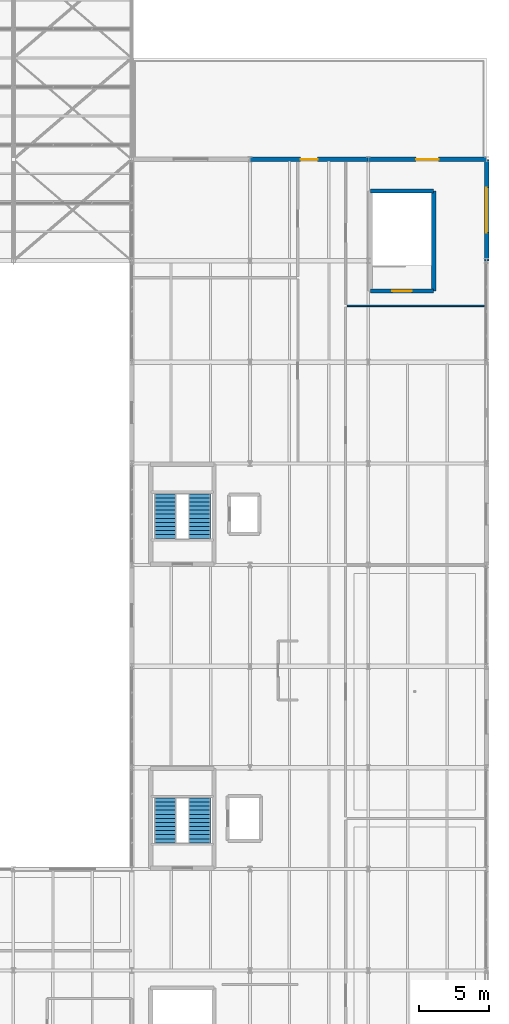
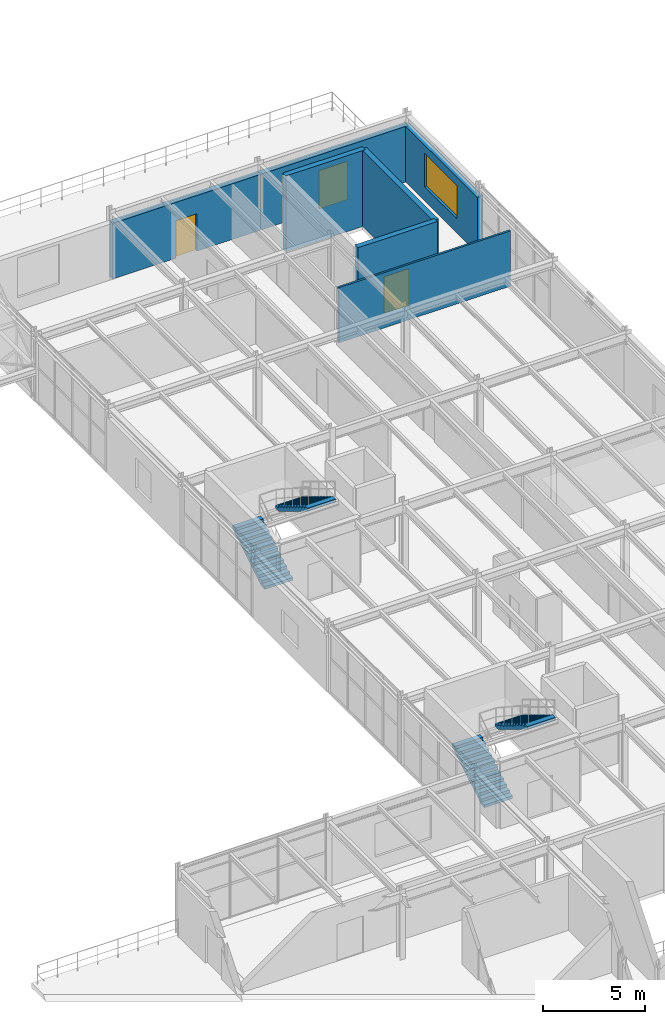
# One storey, part 131 of 134: 7 walls, 4 stair flights, 3 doors, 1 window, 4 openings, 2 elements without a shape of their own.
"""IFC4 building model written with IfcOpenShell, lengths in metres."""

from ifc_helpers import new_model, si_unit, derived_unit, direction, frame, frame_2d, origin, place, context, subcontext, project, spatial, polyline, rectangle, outline, extrude, material, layer, layer_set, type_object, element, fill, aggregate, save


model = new_model("IFC4")

# Units and contexts
model_context = context("Model", 3, precision=1e-05, world=origin(), true_north=direction((0.0, 1.0)))
body_context = subcontext(model_context, "Body", "Model", "MODEL_VIEW")
ifc_project = project(units=[si_unit("LENGTHUNIT", "METRE"), si_unit("AREAUNIT", "SQUARE_METRE"), si_unit("VOLUMEUNIT", "CUBIC_METRE"), si_unit("PLANEANGLEUNIT", "RADIAN"), si_unit("MASSUNIT", "GRAM", prefix="KILO"), derived_unit("THERMALTRANSMITTANCEUNIT", [(si_unit("MASSUNIT", "GRAM", prefix="KILO"), 1), (si_unit("TIMEUNIT", "SECOND"), -3), (si_unit("THERMODYNAMICTEMPERATUREUNIT", "KELVIN"), -1)])], contexts=[model_context])

# Site, building, storey
site_placement = place(None, origin())
site = spatial("IfcSite", under=ifc_project, at=site_placement, CompositionType="ELEMENT")
building_placement = place(site_placement, origin())
building = spatial("IfcBuilding", under=site, at=building_placement, Name="Kharveza Railside Sports Centre", CompositionType="ELEMENT")
storey_placement = place(building_placement, frame((0.0, 0.0, 12.89990234375)))
storey = spatial("IfcBuildingStorey", under=building, at=storey_placement, Name="L03", CompositionType="ELEMENT", Elevation=12.89990234375)

# Wall, opening, door
ifc_material_1 = material(Name="Concrete C35/45", Category="concrete")
ifc_layer_1 = layer(ifc_material_1, 0.300048828125, Name="Concrete C35/45")
ifc_layer_set_1 = layer_set([ifc_layer_1], Name="Concrete C35/45")
wall_type_1 = type_object("IfcWallType", Name="WL-CR300", PredefinedType="SHEAR", material=ifc_layer_set_1)
wall_1_placement = place(storey_placement, frame((159.75, 77.050048828125, 0.0), z_axis=(0.0, 0.0, 1.0), x_axis=(1.0, 0.0, 0.0)))
wall_1 = element("IfcWall", 1, at=wall_1_placement, inside=storey, type_object=wall_type_1, Name="WL-CORE-ST4-L03-S", PredefinedType="SHEAR", context=body_context, shape_type="SweptSolid", body=[
    extrude(rectangle(XDim=4.5, YDim=0.300048828125, at=frame_2d((2.25, 0.0))), origin(), (0.0, 0.0, 1.0), 4.56005859375),
])
opening_1_placement = place(wall_1_placement, frame((1.550048828125, 0.0, 0.0)))
opening_1 = element("IfcOpeningElement", 2, at=opening_1_placement, cuts=wall_1, Name="Opening D09", PredefinedType="OPENING", context=body_context, shape_type="SweptSolid", body=[
    extrude(rectangle(XDim=1.39990234375, YDim=2.199951171875, at=frame_2d((0.699951171875, 1.10009765625))), frame((0.0, 0.1748046875, 0.0), z_axis=(0.0, -1.0, 0.0), x_axis=(1.0, 0.0, 0.0)), (0.0, 0.0, 1.0), 0.349853515625),
])
ifc_material_2 = material(Name="Fire-rated hardwood door leaf", Category="wood")
door_type_1 = type_object("IfcDoorType", Name="DR-ST02", OperationType="NOTDEFINED", PredefinedType="DOOR", material=ifc_material_2)
door_1_placement = place(opening_1_placement, frame((1.39990234375, 0.0, 0.0), z_axis=(0.0, 0.0, 1.0), x_axis=(-1.0, 0.0, 0.0)))
door_1 = element("IfcDoor", 3, at=door_1_placement, inside=storey, type_object=door_type_1, Name="DR-ST-ST4-L03", OperationType="SINGLE_SWING_LEFT", OverallHeight=2.199951171875, OverallWidth=1.39990234375, PredefinedType="DOOR", context=body_context, shape_type="SweptSolid", body=[
    extrude(rectangle(XDim=1.39990234375, YDim=2.199951171875, at=frame_2d((0.699951171875, 1.10009765625))), frame((0.0, 0.02490234375, 0.0), z_axis=(0.0, -1.0, 0.0), x_axis=(1.0, 0.0, 0.0)), (0.0, 0.0, 1.0), 0.050048828125),
])
fill(opening_1, door_1)

# Walls
wall_2_placement = place(storey_placement, frame((164.25, 77.050048828125, 0.0), z_axis=(0.0, 0.0, 1.0), x_axis=(0.0, 1.0, 0.0)))
element("IfcWall", 4, at=wall_2_placement, inside=storey, type_object=wall_type_1, Name="WL-CORE-ST4-L03-E", PredefinedType="SHEAR", context=body_context, shape_type="SweptSolid", body=[
    extrude(rectangle(XDim=7.099853515625, YDim=0.300048828125, at=frame_2d((3.5498046875, 0.0))), origin(), (0.0, 0.0, 1.0), 4.56005859375),
])
wall_3_placement = place(storey_placement, frame((164.25, 84.14990234375, 0.0), z_axis=(0.0, 0.0, 1.0), x_axis=(-1.0, 0.0, 0.0)))
element("IfcWall", 5, at=wall_3_placement, inside=storey, type_object=wall_type_1, Name="WL-CORE-ST4-L03-N", PredefinedType="SHEAR", context=body_context, shape_type="SweptSolid", body=[
    extrude(rectangle(XDim=4.5, YDim=0.300048828125, at=frame_2d((2.25, 0.0))), origin(), (0.0, 0.0, 1.0), 4.56005859375),
])

# Wall, opening, window
ifc_material_3 = material(Name="Precast concrete C40/50", Category="concrete")
ifc_layer_2 = layer(ifc_material_3, 0.320068359375, Name="Precast concrete C40/50")
ifc_layer_set_2 = layer_set([ifc_layer_2], Name="Precast concrete C40/50")
wall_type_2 = type_object("IfcWallType", Name="WL-EX320", PredefinedType="STANDARD", material=ifc_layer_set_2)
wall_4_placement = place(storey_placement, frame((168.0, 79.199951171875, 0.0), z_axis=(0.0, 0.0, 1.0), x_axis=(0.0, 1.0, 0.0)))
wall_4 = element("IfcWall", 6, at=wall_4_placement, inside=storey, type_object=wall_type_2, Name="WL-EXT-L03-225", PredefinedType="STANDARD", context=body_context, shape_type="SweptSolid", body=[
    extrude(rectangle(XDim=7.199951171875, YDim=0.320068359375, at=frame_2d((3.60009765625, 0.0))), origin(), (0.0, 0.0, 1.0), 3.34521484375),
])
opening_2_placement = place(wall_4_placement, frame((2.0, 0.0, 0.85009765625)))
opening_2 = element("IfcOpeningElement", 7, at=opening_2_placement, cuts=wall_4, Name="Opening WN18", PredefinedType="OPENING", context=body_context, shape_type="SweptSolid", body=[
    extrude(rectangle(XDim=3.199951171875, YDim=2.0, at=frame_2d((1.60009765625, 1.0))), frame((0.0, 0.18505859375, 0.0), z_axis=(0.0, -1.0, 0.0), x_axis=(1.0, 0.0, 0.0)), (0.0, 0.0, 1.0), 0.369873046875),
])
ifc_material_4 = material(Name="Low-E solar-control laminated glass", Category="glass")
window_type = type_object("IfcWindowType", Name="WN-Z02", PartitioningType="SINGLE_PANEL", PredefinedType="WINDOW", material=ifc_material_4)
window_placement = place(opening_2_placement, origin())
window = element("IfcWindow", 8, at=window_placement, inside=storey, type_object=window_type, Name="WN-EXT-L03-129", OverallHeight=2.0, OverallWidth=3.199951171875, PartitioningType="SINGLE_PANEL", PredefinedType="WINDOW", context=body_context, shape_type="SweptSolid", body=[
    extrude(rectangle(XDim=3.199951171875, YDim=2.0, at=frame_2d((1.60009765625, 1.0))), frame((0.0, 0.030029296875, 0.0), z_axis=(0.0, -1.0, 0.0), x_axis=(1.0, 0.0, 0.0)), (0.0, 0.0, 1.0), 0.06005859375),
])
fill(opening_2, window)

# Wall, opening, door
wall_5_placement = place(storey_placement, frame((168.0, 86.39990234375, 0.0), z_axis=(0.0, 0.0, 1.0), x_axis=(-1.0, 0.0, 0.0)))
wall_5 = element("IfcWall", 9, at=wall_5_placement, inside=storey, type_object=wall_type_2, Name="WL-EXT-L03-226", PredefinedType="STANDARD", context=body_context, shape_type="SweptSolid", body=[
    extrude(rectangle(XDim=8.39990234375, YDim=0.320068359375, at=frame_2d((4.199951171875, 0.0))), origin(), (0.0, 0.0, 1.0), 3.34521484375),
])
opening_3_placement = place(wall_5_placement, frame((3.39990234375, 0.0, 0.0)))
opening_3 = element("IfcOpeningElement", 10, at=opening_3_placement, cuts=wall_5, Name="Opening D04", PredefinedType="OPENING", context=body_context, shape_type="SweptSolid", body=[
    extrude(rectangle(XDim=1.60009765625, YDim=2.300048828125, at=frame_2d((0.800048828125, 1.14990234375))), frame((0.0, 0.18505859375, 0.0), z_axis=(0.0, -1.0, 0.0), x_axis=(1.0, 0.0, 0.0)), (0.0, 0.0, 1.0), 0.369873046875),
])
ifc_material_5 = material(Name="Anodised aluminium 6063-T6", Category="aluminium")
door_type_2 = type_object("IfcDoorType", Name="DR-EX04", OperationType="NOTDEFINED", PredefinedType="DOOR", material=ifc_material_5)
door_2_placement = place(opening_3_placement, frame((1.60009765625, 0.0, 0.0), z_axis=(0.0, 0.0, 1.0), x_axis=(-1.0, 0.0, 0.0)))
door_2 = element("IfcDoor", 11, at=door_2_placement, inside=storey, type_object=door_type_2, Name="DR-TERR-L03-039", OperationType="DOUBLE_DOOR_SINGLE_SWING", OverallHeight=2.300048828125, OverallWidth=1.60009765625, PredefinedType="DOOR", context=body_context, shape_type="SweptSolid", body=[
    extrude(rectangle(XDim=1.60009765625, YDim=2.300048828125, at=frame_2d((0.800048828125, 1.14990234375))), frame((0.0, 0.02490234375, 0.0), z_axis=(0.0, -1.0, 0.0), x_axis=(1.0, 0.0, 0.0)), (0.0, 0.0, 1.0), 0.050048828125),
])
fill(opening_3, door_2)

wall_6_placement = place(storey_placement, frame((159.60009765625, 86.39990234375, 0.0), z_axis=(0.0, 0.0, 1.0), x_axis=(-1.0, 0.0, 0.0)))
wall_6 = element("IfcWall", 12, at=wall_6_placement, inside=storey, type_object=wall_type_2, Name="WL-EXT-L03-227", PredefinedType="STANDARD", context=body_context, shape_type="SweptSolid", body=[
    extrude(rectangle(XDim=8.400146484375, YDim=0.320068359375, at=frame_2d((4.2001953125, 0.0))), origin(), (0.0, 0.0, 1.0), 3.34521484375),
])
opening_4_placement = place(wall_6_placement, frame((3.60009765625, 0.0, 0.0)))
opening_4 = element("IfcOpeningElement", 13, at=opening_4_placement, cuts=wall_6, Name="Opening D05", PredefinedType="OPENING", context=body_context, shape_type="SweptSolid", body=[
    extrude(rectangle(XDim=1.199951171875, YDim=2.25, at=frame_2d((0.60009765625, 1.125))), frame((0.0, 0.18505859375, 0.0), z_axis=(0.0, -1.0, 0.0), x_axis=(1.0, 0.0, 0.0)), (0.0, 0.0, 1.0), 0.369873046875),
])
door_type_3 = type_object("IfcDoorType", Name="DR-EX05", OperationType="NOTDEFINED", PredefinedType="DOOR", material=ifc_material_5)
door_3_placement = place(opening_4_placement, frame((1.199951171875, 0.0, 0.0), z_axis=(0.0, 0.0, 1.0), x_axis=(-1.0, 0.0, 0.0)))
door_3 = element("IfcDoor", 14, at=door_3_placement, inside=storey, type_object=door_type_3, Name="DR-TERR-L03-040", OperationType="SINGLE_SWING_RIGHT", OverallHeight=2.25, OverallWidth=1.199951171875, PredefinedType="DOOR", context=body_context, shape_type="SweptSolid", body=[
    extrude(rectangle(XDim=1.199951171875, YDim=2.25, at=frame_2d((0.60009765625, 1.125))), frame((0.0, 0.02490234375, 0.0), z_axis=(0.0, -1.0, 0.0), x_axis=(1.0, 0.0, 0.0)), (0.0, 0.0, 1.0), 0.050048828125),
])
fill(opening_4, door_3)

# Wall
ifc_material_6 = material(Name="Gypsum board acoustic stud partition")
ifc_layer_3 = layer(ifc_material_6, 0.114990234375, Name="Gypsum board acoustic stud partition")
ifc_layer_set_3 = layer_set([ifc_layer_3], Name="Gypsum board acoustic stud partition")
wall_type_3 = type_object("IfcWallType", Name="WL-PT115", PredefinedType="PARTITIONING", material=ifc_layer_set_3)
wall_7_placement = place(storey_placement, frame((158.10009765625, 76.0, 0.0), z_axis=(0.0, 0.0, 1.0), x_axis=(1.0, 0.0, 0.0)))
element("IfcWall", 15, at=wall_7_placement, inside=storey, type_object=wall_type_3, Name="WL-INT-L03-115", PredefinedType="PARTITIONING", context=body_context, shape_type="SweptSolid", body=[
    extrude(rectangle(XDim=9.75, YDim=0.114990234375, at=frame_2d((4.875, 0.0))), origin(), (0.0, 0.0, 1.0), 3.320068359375),
])

# Stair, stair flights
stair_type = type_object("IfcStairType", Name="ST-B42", PredefinedType="TWO_STRAIGHT_RUN_STAIR", material=ifc_material_1)
stair_1_placement = place(storey_placement, origin())
stair_1 = element("IfcStair", 16, at=stair_1_placement, inside=storey, type_object=stair_type, Name="STR-ST1-L03", PredefinedType="TWO_STRAIGHT_RUN_STAIR")
stair_flight_type = type_object("IfcStairFlightType", Name="SF-B12", PredefinedType="STRAIGHT", material=ifc_material_1)
stair_flight_1_placement = place(storey_placement, frame((145.179931640625, 37.860107421875, 0.0), z_axis=(0.0, 0.0, 1.0), x_axis=(0.0, 1.0, 0.0)))
stair_flight_1 = element("IfcStairFlight", 17, at=stair_flight_1_placement, type_object=stair_flight_type, Name="STR-ST1-L03-FL1", NumberOfRisers=12, NumberOfTreads=11, PredefinedType="STRAIGHT", RiserHeight=0.175, TreadLength=0.29, context=body_context, shape_type="SweptSolid", body=[
    extrude(outline(polyline([(0.0, 0.0), (0.0, 0.175048828125), (0.2900390625, 0.175048828125), (0.2900390625, 0.35009765625), (0.580078125, 0.35009765625), (0.580078125, 0.52490234375), (0.8701171875, 0.52490234375), (0.8701171875, 0.699951171875), (1.159912109375, 0.699951171875), (1.159912109375, 0.875), (1.449951171875, 0.875), (1.449951171875, 1.050048828125), (1.739990234375, 1.050048828125), (1.739990234375, 1.22509765625), (2.030029296875, 1.22509765625), (2.030029296875, 1.39990234375), (2.320068359375, 1.39990234375), (2.320068359375, 1.574951171875), (2.610107421875, 1.574951171875), (2.610107421875, 1.75), (2.89990234375, 1.75), (2.89990234375, 1.925048828125), (3.18994140625, 1.925048828125), (3.18994140625, 2.10009765625), (3.18994140625, 1.73828125), (0.3095703125, 0.0), (0.0, 0.0)])), frame((0.0, 0.800048828125, 0.0), z_axis=(0.0, -1.0, 0.0), x_axis=(1.0, 0.0, 0.0)), (0.0, 0.0, 1.0), 1.60009765625),
])
stair_flight_2_placement = place(storey_placement, frame((147.6201171875, 41.050048828125, 2.10009765625), z_axis=(0.0, 0.0, 1.0), x_axis=(0.0, -1.0, 0.0)))
stair_flight_2 = element("IfcStairFlight", 18, at=stair_flight_2_placement, type_object=stair_flight_type, Name="STR-ST1-L03-FL2", NumberOfRisers=12, NumberOfTreads=11, PredefinedType="STRAIGHT", RiserHeight=0.175, TreadLength=0.29, context=body_context, shape_type="SweptSolid", body=[
    extrude(outline(polyline([(0.0, 0.0), (0.0, 0.175048828125), (0.2900390625, 0.175048828125), (0.2900390625, 0.35009765625), (0.580078125, 0.35009765625), (0.580078125, 0.52490234375), (0.8701171875, 0.52490234375), (0.8701171875, 0.699951171875), (1.159912109375, 0.699951171875), (1.159912109375, 0.875), (1.449951171875, 0.875), (1.449951171875, 1.050048828125), (1.739990234375, 1.050048828125), (1.739990234375, 1.22509765625), (2.030029296875, 1.22509765625), (2.030029296875, 1.39990234375), (2.320068359375, 1.39990234375), (2.320068359375, 1.574951171875), (2.610107421875, 1.574951171875), (2.610107421875, 1.75), (2.89990234375, 1.75), (2.89990234375, 1.925048828125), (3.18994140625, 1.925048828125), (3.18994140625, 2.10009765625), (3.18994140625, 1.73828125), (0.3095703125, 0.0), (0.0, 0.0)])), frame((0.0, 0.800048828125, 0.0), z_axis=(0.0, -1.0, 0.0), x_axis=(1.0, 0.0, 0.0)), (0.0, 0.0, 1.0), 1.60009765625),
])
aggregate(stair_1, [stair_flight_1, stair_flight_2])

stair_2_placement = place(storey_placement, origin())
stair_2 = element("IfcStair", 19, at=stair_2_placement, inside=storey, type_object=stair_type, Name="STR-ST2-L03", PredefinedType="TWO_STRAIGHT_RUN_STAIR")
stair_flight_3_placement = place(storey_placement, frame((145.179931640625, 59.4599609375, 0.0), z_axis=(0.0, 0.0, 1.0), x_axis=(0.0, 1.0, 0.0)))
stair_flight_3 = element("IfcStairFlight", 20, at=stair_flight_3_placement, type_object=stair_flight_type, Name="STR-ST2-L03-FL1", NumberOfRisers=12, NumberOfTreads=11, PredefinedType="STRAIGHT", RiserHeight=0.175, TreadLength=0.29, context=body_context, shape_type="SweptSolid", body=[
    extrude(outline(polyline([(0.0, 0.0), (0.0, 0.175048828125), (0.2900390625, 0.175048828125), (0.2900390625, 0.35009765625), (0.580078125, 0.35009765625), (0.580078125, 0.52490234375), (0.8701171875, 0.52490234375), (0.8701171875, 0.699951171875), (1.159912109375, 0.699951171875), (1.159912109375, 0.875), (1.449951171875, 0.875), (1.449951171875, 1.050048828125), (1.739990234375, 1.050048828125), (1.739990234375, 1.22509765625), (2.030029296875, 1.22509765625), (2.030029296875, 1.39990234375), (2.320068359375, 1.39990234375), (2.320068359375, 1.574951171875), (2.610107421875, 1.574951171875), (2.610107421875, 1.75), (2.89990234375, 1.75), (2.89990234375, 1.925048828125), (3.18994140625, 1.925048828125), (3.18994140625, 2.10009765625), (3.18994140625, 1.73828125), (0.3095703125, 0.0), (0.0, 0.0)])), frame((0.0, 0.800048828125, 0.0), z_axis=(0.0, -1.0, 0.0), x_axis=(1.0, 0.0, 0.0)), (0.0, 0.0, 1.0), 1.60009765625),
])
stair_flight_4_placement = place(storey_placement, frame((147.6201171875, 62.64990234375, 2.10009765625), z_axis=(0.0, 0.0, 1.0), x_axis=(0.0, -1.0, 0.0)))
stair_flight_4 = element("IfcStairFlight", 21, at=stair_flight_4_placement, type_object=stair_flight_type, Name="STR-ST2-L03-FL2", NumberOfRisers=12, NumberOfTreads=11, PredefinedType="STRAIGHT", RiserHeight=0.175, TreadLength=0.29, context=body_context, shape_type="SweptSolid", body=[
    extrude(outline(polyline([(0.0, 0.0), (0.0, 0.175048828125), (0.2900390625, 0.175048828125), (0.2900390625, 0.35009765625), (0.580078125, 0.35009765625), (0.580078125, 0.52490234375), (0.8701171875, 0.52490234375), (0.8701171875, 0.699951171875), (1.159912109375, 0.699951171875), (1.159912109375, 0.875), (1.449951171875, 0.875), (1.449951171875, 1.050048828125), (1.739990234375, 1.050048828125), (1.739990234375, 1.22509765625), (2.030029296875, 1.22509765625), (2.030029296875, 1.39990234375), (2.320068359375, 1.39990234375), (2.320068359375, 1.574951171875), (2.610107421875, 1.574951171875), (2.610107421875, 1.75), (2.89990234375, 1.75), (2.89990234375, 1.925048828125), (3.18994140625, 1.925048828125), (3.18994140625, 2.10009765625), (3.18994140625, 1.73828125), (0.3095703125, 0.0), (0.0, 0.0)])), frame((0.0, 0.800048828125, 0.0), z_axis=(0.0, -1.0, 0.0), x_axis=(1.0, 0.0, 0.0)), (0.0, 0.0, 1.0), 1.60009765625),
])
aggregate(stair_2, [stair_flight_3, stair_flight_4])

save(model, "model.ifc")
